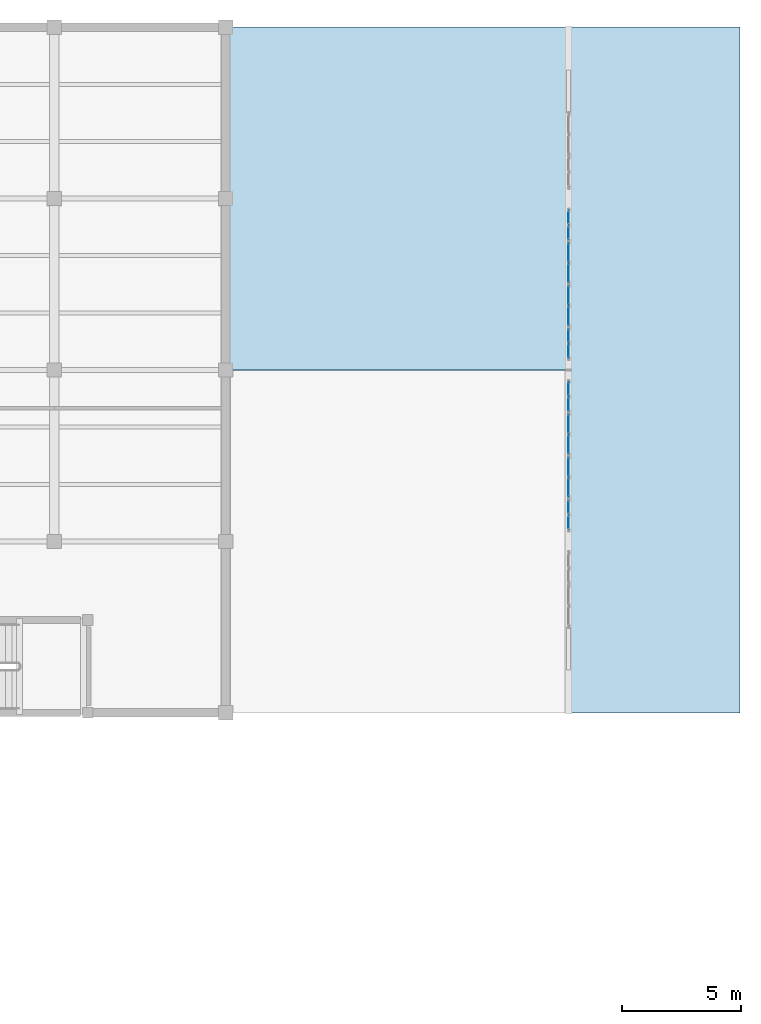
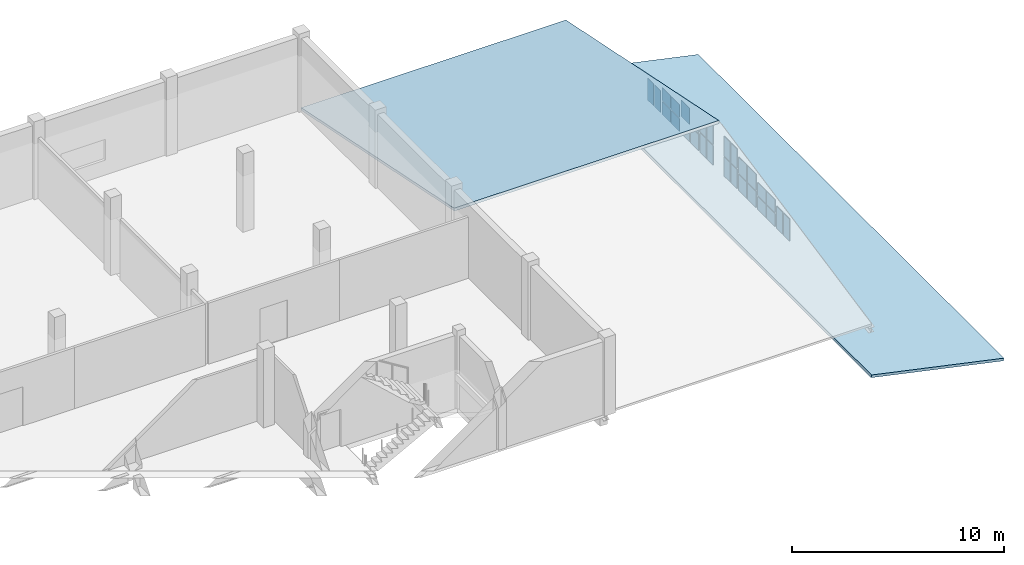
# One storey, part 61 of 76: 28 plates, 2 slabs, 9 elements without a shape of their own.
"""IFC4 building model written with IfcOpenShell, lengths in metres."""

from ifc_helpers import new_model, si_unit, direction, frame, origin, origin_2d, place, context, subcontext, project, spatial, polyline, rectangle, outline, extrude, material, layer, layer_set, type_object, element, aggregate, save


model = new_model("IFC4")

# Units and contexts
model_context = context("Model", 3, precision=1e-05, world=origin(), true_north=direction((0.0, 1.0)))
body_context = subcontext(model_context, "Body", "Model", "MODEL_VIEW")
ifc_project = project(units=[si_unit("LENGTHUNIT", "METRE"), si_unit("AREAUNIT", "SQUARE_METRE"), si_unit("VOLUMEUNIT", "CUBIC_METRE"), si_unit("PLANEANGLEUNIT", "RADIAN"), si_unit("MASSUNIT", "GRAM", prefix="KILO"), si_unit("THERMODYNAMICTEMPERATUREUNIT", "KELVIN"), si_unit("POWERUNIT", "WATT")], contexts=[model_context])

# Site, building, storey
site_placement = place(None, origin())
site = spatial("IfcSite", under=ifc_project, at=site_placement, CompositionType="ELEMENT")
building_placement = place(site_placement, origin())
building = spatial("IfcBuilding", under=site, at=building_placement, Name="Kaldorven Railside Theatre", CompositionType="ELEMENT")
storey_placement = place(building_placement, frame((0.0, 0.0, 14.39990234375)))
storey = spatial("IfcBuildingStorey", under=building, at=storey_placement, Name="L03", CompositionType="ELEMENT", Elevation=14.39990234375)

# Curtain wall, plates
ifc_material_1 = material(Name="Low-E laminated solar-control glass", Category="glass")
ifc_layer_1 = layer(ifc_material_1, 0.159912109375, Name="Low-E laminated solar-control glass")
ifc_layer_set_1 = layer_set([ifc_layer_1], Name="Low-E laminated solar-control glass")
curtain_wall_type_1 = type_object("IfcCurtainWallType", Name="CWT-73", PredefinedType="USERDEFINED", material=ifc_layer_set_1)
curtain_wall_1_placement = place(storey_placement, origin())
curtain_wall_1 = element("IfcCurtainWall", 1, at=curtain_wall_1_placement, inside=storey, type_object=curtain_wall_type_1, Name="Rehearsal East Gable Clerestory CWG-160", ObjectType="FLUTED GLAZING", PredefinedType="USERDEFINED")
ifc_layer_2 = layer(ifc_material_1, 0.028076171875, Name="Low-E laminated solar-control glass")
ifc_layer_set_2 = layer_set([ifc_layer_2], Name="Low-E laminated solar-control glass")
plate_type = type_object("IfcPlateType", Name="CWP-GLZ28", PredefinedType="CURTAIN_PANEL", material=ifc_layer_set_2)
plate_1_placement = place(storey_placement, frame((180.800048828125, 120.800048828125, 0.080078125), z_axis=(0.0, 0.0, 1.0), x_axis=(0.0, 1.0, 0.0)))
plate_1 = element("IfcPlate", 2, at=plate_1_placement, type_object=plate_type, Name="CWG-160 panel 1.1", PredefinedType="CURTAIN_PANEL", context=body_context, shape_type="SweptSolid", body=[
    extrude(rectangle(XDim=0.56005859375, YDim=0.028076171875, at=origin_2d()), origin(), (0.0, 0.0, 1.0), 1.27001953125),
])
plate_2_placement = place(storey_placement, frame((180.800048828125, 121.43994140625, 0.080078125), z_axis=(0.0, 0.0, 1.0), x_axis=(0.0, 1.0, 0.0)))
plate_2 = element("IfcPlate", 3, at=plate_2_placement, type_object=plate_type, Name="CWG-160 panel 2.1", PredefinedType="CURTAIN_PANEL", context=body_context, shape_type="SweptSolid", body=[
    extrude(rectangle(XDim=0.56005859375, YDim=0.028076171875, at=origin_2d()), origin(), (0.0, 0.0, 1.0), 1.27001953125),
])
aggregate(curtain_wall_1, [plate_1, plate_2])

ifc_layer_3 = layer(ifc_material_1, 0.159912109375, Name="Low-E laminated solar-control glass")
ifc_layer_set_3 = layer_set([ifc_layer_3], Name="Low-E laminated solar-control glass")
curtain_wall_type_2 = type_object("IfcCurtainWallType", Name="CWT-74", PredefinedType="USERDEFINED", material=ifc_layer_set_3)
curtain_wall_2_placement = place(storey_placement, origin())
curtain_wall_2 = element("IfcCurtainWall", 4, at=curtain_wall_2_placement, inside=storey, type_object=curtain_wall_type_2, Name="Rehearsal East Gable Clerestory CWG-161", ObjectType="FLUTED GLAZING", PredefinedType="USERDEFINED")
plate_3_placement = place(storey_placement, frame((180.800048828125, 122.27001953125, 0.080078125), z_axis=(0.0, 0.0, 1.0), x_axis=(0.0, 1.0, 0.0)))
plate_3 = element("IfcPlate", 5, at=plate_3_placement, type_object=plate_type, Name="CWG-161 panel 1.1", PredefinedType="CURTAIN_PANEL", context=body_context, shape_type="SweptSolid", body=[
    extrude(rectangle(XDim=0.780029296875, YDim=0.028076171875, at=origin_2d()), origin(), (0.0, 0.0, 1.0), 0.7451171875),
])
plate_4_placement = place(storey_placement, frame((180.800048828125, 122.27001953125, 0.885009765625), z_axis=(0.0, 0.0, 1.0), x_axis=(0.0, 1.0, 0.0)))
plate_4 = element("IfcPlate", 6, at=plate_4_placement, type_object=plate_type, Name="CWG-161 panel 1.2", PredefinedType="CURTAIN_PANEL", context=body_context, shape_type="SweptSolid", body=[
    extrude(rectangle(XDim=0.780029296875, YDim=0.028076171875, at=origin_2d()), origin(), (0.0, 0.0, 1.0), 0.7451171875),
])
plate_5_placement = place(storey_placement, frame((180.800048828125, 123.1298828125, 0.080078125), z_axis=(0.0, 0.0, 1.0), x_axis=(0.0, 1.0, 0.0)))
plate_5 = element("IfcPlate", 7, at=plate_5_placement, type_object=plate_type, Name="CWG-161 panel 2.1", PredefinedType="CURTAIN_PANEL", context=body_context, shape_type="SweptSolid", body=[
    extrude(rectangle(XDim=0.780029296875, YDim=0.028076171875, at=origin_2d()), origin(), (0.0, 0.0, 1.0), 0.7451171875),
])
plate_6_placement = place(storey_placement, frame((180.800048828125, 123.1298828125, 0.885009765625), z_axis=(0.0, 0.0, 1.0), x_axis=(0.0, 1.0, 0.0)))
plate_6 = element("IfcPlate", 8, at=plate_6_placement, type_object=plate_type, Name="CWG-161 panel 2.2", PredefinedType="CURTAIN_PANEL", context=body_context, shape_type="SweptSolid", body=[
    extrude(rectangle(XDim=0.780029296875, YDim=0.028076171875, at=origin_2d()), origin(), (0.0, 0.0, 1.0), 0.7451171875),
])
aggregate(curtain_wall_2, [plate_3, plate_4, plate_5, plate_6])

ifc_layer_4 = layer(ifc_material_1, 0.159912109375, Name="Low-E laminated solar-control glass")
ifc_layer_set_4 = layer_set([ifc_layer_4], Name="Low-E laminated solar-control glass")
curtain_wall_type_3 = type_object("IfcCurtainWallType", Name="CWT-75", PredefinedType="USERDEFINED", material=ifc_layer_set_4)
curtain_wall_3_placement = place(storey_placement, origin())
curtain_wall_3 = element("IfcCurtainWall", 9, at=curtain_wall_3_placement, inside=storey, type_object=curtain_wall_type_3, Name="Rehearsal East Gable Clerestory CWG-162", ObjectType="FLUTED GLAZING", PredefinedType="USERDEFINED")
plate_7_placement = place(storey_placement, frame((180.800048828125, 124.070068359375, 0.080078125), z_axis=(0.0, 0.0, 1.0), x_axis=(0.0, 1.0, 0.0)))
plate_7 = element("IfcPlate", 10, at=plate_7_placement, type_object=plate_type, Name="CWG-162 panel 1.1", PredefinedType="CURTAIN_PANEL", context=body_context, shape_type="SweptSolid", body=[
    extrude(rectangle(XDim=0.780029296875, YDim=0.028076171875, at=origin_2d()), origin(), (0.0, 0.0, 1.0), 0.929931640625),
])
plate_8_placement = place(storey_placement, frame((180.800048828125, 124.070068359375, 1.0703125), z_axis=(0.0, 0.0, 1.0), x_axis=(0.0, 1.0, 0.0)))
plate_8 = element("IfcPlate", 11, at=plate_8_placement, type_object=plate_type, Name="CWG-162 panel 1.2", PredefinedType="CURTAIN_PANEL", context=body_context, shape_type="SweptSolid", body=[
    extrude(rectangle(XDim=0.780029296875, YDim=0.028076171875, at=origin_2d()), origin(), (0.0, 0.0, 1.0), 0.929931640625),
])
plate_9_placement = place(storey_placement, frame((180.800048828125, 124.929931640625, 0.080078125), z_axis=(0.0, 0.0, 1.0), x_axis=(0.0, 1.0, 0.0)))
plate_9 = element("IfcPlate", 12, at=plate_9_placement, type_object=plate_type, Name="CWG-162 panel 2.1", PredefinedType="CURTAIN_PANEL", context=body_context, shape_type="SweptSolid", body=[
    extrude(rectangle(XDim=0.780029296875, YDim=0.028076171875, at=origin_2d()), origin(), (0.0, 0.0, 1.0), 0.929931640625),
])
plate_10_placement = place(storey_placement, frame((180.800048828125, 124.929931640625, 1.0703125), z_axis=(0.0, 0.0, 1.0), x_axis=(0.0, 1.0, 0.0)))
plate_10 = element("IfcPlate", 13, at=plate_10_placement, type_object=plate_type, Name="CWG-162 panel 2.2", PredefinedType="CURTAIN_PANEL", context=body_context, shape_type="SweptSolid", body=[
    extrude(rectangle(XDim=0.780029296875, YDim=0.028076171875, at=origin_2d()), origin(), (0.0, 0.0, 1.0), 0.929931640625),
])
aggregate(curtain_wall_3, [plate_7, plate_8, plate_9, plate_10])

ifc_layer_5 = layer(ifc_material_1, 0.159912109375, Name="Low-E laminated solar-control glass")
ifc_layer_set_5 = layer_set([ifc_layer_5], Name="Low-E laminated solar-control glass")
curtain_wall_type_4 = type_object("IfcCurtainWallType", Name="CWT-76", PredefinedType="USERDEFINED", material=ifc_layer_set_5)
curtain_wall_4_placement = place(storey_placement, origin())
curtain_wall_4 = element("IfcCurtainWall", 14, at=curtain_wall_4_placement, inside=storey, type_object=curtain_wall_type_4, Name="Rehearsal East Gable Clerestory CWG-163", ObjectType="FLUTED GLAZING", PredefinedType="USERDEFINED")
plate_11_placement = place(storey_placement, frame((180.800048828125, 125.760009765625, 0.080078125), z_axis=(0.0, 0.0, 1.0), x_axis=(0.0, 1.0, 0.0)))
plate_11 = element("IfcPlate", 15, at=plate_11_placement, type_object=plate_type, Name="CWG-163 panel 1.1", PredefinedType="CURTAIN_PANEL", context=body_context, shape_type="SweptSolid", body=[
    extrude(rectangle(XDim=0.56005859375, YDim=0.028076171875, at=origin_2d()), origin(), (0.0, 0.0, 1.0), 1.114990234375),
])
plate_12_placement = place(storey_placement, frame((180.800048828125, 125.760009765625, 1.2548828125), z_axis=(0.0, 0.0, 1.0), x_axis=(0.0, 1.0, 0.0)))
plate_12 = element("IfcPlate", 16, at=plate_12_placement, type_object=plate_type, Name="CWG-163 panel 1.2", PredefinedType="CURTAIN_PANEL", context=body_context, shape_type="SweptSolid", body=[
    extrude(rectangle(XDim=0.56005859375, YDim=0.028076171875, at=origin_2d()), origin(), (0.0, 0.0, 1.0), 1.114990234375),
])
plate_13_placement = place(storey_placement, frame((180.800048828125, 126.39990234375, 0.080078125), z_axis=(0.0, 0.0, 1.0), x_axis=(0.0, 1.0, 0.0)))
plate_13 = element("IfcPlate", 17, at=plate_13_placement, type_object=plate_type, Name="CWG-163 panel 2.1", PredefinedType="CURTAIN_PANEL", context=body_context, shape_type="SweptSolid", body=[
    extrude(rectangle(XDim=0.56005859375, YDim=0.028076171875, at=origin_2d()), origin(), (0.0, 0.0, 1.0), 1.114990234375),
])
plate_14_placement = place(storey_placement, frame((180.800048828125, 126.39990234375, 1.2548828125), z_axis=(0.0, 0.0, 1.0), x_axis=(0.0, 1.0, 0.0)))
plate_14 = element("IfcPlate", 18, at=plate_14_placement, type_object=plate_type, Name="CWG-163 panel 2.2", PredefinedType="CURTAIN_PANEL", context=body_context, shape_type="SweptSolid", body=[
    extrude(rectangle(XDim=0.56005859375, YDim=0.028076171875, at=origin_2d()), origin(), (0.0, 0.0, 1.0), 1.114990234375),
])
aggregate(curtain_wall_4, [plate_11, plate_12, plate_13, plate_14])

curtain_wall_5_placement = place(storey_placement, origin())
curtain_wall_5 = element("IfcCurtainWall", 19, at=curtain_wall_5_placement, inside=storey, type_object=curtain_wall_type_4, Name="Rehearsal East Gable Clerestory CWG-164", ObjectType="FLUTED GLAZING", PredefinedType="USERDEFINED")
plate_15_placement = place(storey_placement, frame((180.800048828125, 128.0, 0.080078125), z_axis=(0.0, 0.0, 1.0), x_axis=(0.0, 1.0, 0.0)))
plate_15 = element("IfcPlate", 20, at=plate_15_placement, type_object=plate_type, Name="CWG-164 panel 1.1", PredefinedType="CURTAIN_PANEL", context=body_context, shape_type="SweptSolid", body=[
    extrude(rectangle(XDim=0.56005859375, YDim=0.028076171875, at=origin_2d()), origin(), (0.0, 0.0, 1.0), 1.114990234375),
])
plate_16_placement = place(storey_placement, frame((180.800048828125, 128.0, 1.2548828125), z_axis=(0.0, 0.0, 1.0), x_axis=(0.0, 1.0, 0.0)))
plate_16 = element("IfcPlate", 21, at=plate_16_placement, type_object=plate_type, Name="CWG-164 panel 1.2", PredefinedType="CURTAIN_PANEL", context=body_context, shape_type="SweptSolid", body=[
    extrude(rectangle(XDim=0.56005859375, YDim=0.028076171875, at=origin_2d()), origin(), (0.0, 0.0, 1.0), 1.114990234375),
])
plate_17_placement = place(storey_placement, frame((180.800048828125, 128.639892578125, 0.080078125), z_axis=(0.0, 0.0, 1.0), x_axis=(0.0, 1.0, 0.0)))
plate_17 = element("IfcPlate", 22, at=plate_17_placement, type_object=plate_type, Name="CWG-164 panel 2.1", PredefinedType="CURTAIN_PANEL", context=body_context, shape_type="SweptSolid", body=[
    extrude(rectangle(XDim=0.56005859375, YDim=0.028076171875, at=origin_2d()), origin(), (0.0, 0.0, 1.0), 1.114990234375),
])
plate_18_placement = place(storey_placement, frame((180.800048828125, 128.639892578125, 1.2548828125), z_axis=(0.0, 0.0, 1.0), x_axis=(0.0, 1.0, 0.0)))
plate_18 = element("IfcPlate", 23, at=plate_18_placement, type_object=plate_type, Name="CWG-164 panel 2.2", PredefinedType="CURTAIN_PANEL", context=body_context, shape_type="SweptSolid", body=[
    extrude(rectangle(XDim=0.56005859375, YDim=0.028076171875, at=origin_2d()), origin(), (0.0, 0.0, 1.0), 1.114990234375),
])
aggregate(curtain_wall_5, [plate_15, plate_16, plate_17, plate_18])

curtain_wall_6_placement = place(storey_placement, origin())
curtain_wall_6 = element("IfcCurtainWall", 24, at=curtain_wall_6_placement, inside=storey, type_object=curtain_wall_type_3, Name="Rehearsal East Gable Clerestory CWG-165", ObjectType="FLUTED GLAZING", PredefinedType="USERDEFINED")
plate_19_placement = place(storey_placement, frame((180.800048828125, 129.469970703125, 0.080078125), z_axis=(0.0, 0.0, 1.0), x_axis=(0.0, 1.0, 0.0)))
plate_19 = element("IfcPlate", 25, at=plate_19_placement, type_object=plate_type, Name="CWG-165 panel 1.1", PredefinedType="CURTAIN_PANEL", context=body_context, shape_type="SweptSolid", body=[
    extrude(rectangle(XDim=0.780029296875, YDim=0.028076171875, at=origin_2d()), origin(), (0.0, 0.0, 1.0), 0.929931640625),
])
plate_20_placement = place(storey_placement, frame((180.800048828125, 129.469970703125, 1.0703125), z_axis=(0.0, 0.0, 1.0), x_axis=(0.0, 1.0, 0.0)))
plate_20 = element("IfcPlate", 26, at=plate_20_placement, type_object=plate_type, Name="CWG-165 panel 1.2", PredefinedType="CURTAIN_PANEL", context=body_context, shape_type="SweptSolid", body=[
    extrude(rectangle(XDim=0.780029296875, YDim=0.028076171875, at=origin_2d()), origin(), (0.0, 0.0, 1.0), 0.929931640625),
])
plate_21_placement = place(storey_placement, frame((180.800048828125, 130.330078125, 0.080078125), z_axis=(0.0, 0.0, 1.0), x_axis=(0.0, 1.0, 0.0)))
plate_21 = element("IfcPlate", 27, at=plate_21_placement, type_object=plate_type, Name="CWG-165 panel 2.1", PredefinedType="CURTAIN_PANEL", context=body_context, shape_type="SweptSolid", body=[
    extrude(rectangle(XDim=0.780029296875, YDim=0.028076171875, at=origin_2d()), origin(), (0.0, 0.0, 1.0), 0.929931640625),
])
plate_22_placement = place(storey_placement, frame((180.800048828125, 130.330078125, 1.0703125), z_axis=(0.0, 0.0, 1.0), x_axis=(0.0, 1.0, 0.0)))
plate_22 = element("IfcPlate", 28, at=plate_22_placement, type_object=plate_type, Name="CWG-165 panel 2.2", PredefinedType="CURTAIN_PANEL", context=body_context, shape_type="SweptSolid", body=[
    extrude(rectangle(XDim=0.780029296875, YDim=0.028076171875, at=origin_2d()), origin(), (0.0, 0.0, 1.0), 0.929931640625),
])
aggregate(curtain_wall_6, [plate_19, plate_20, plate_21, plate_22])

curtain_wall_7_placement = place(storey_placement, origin())
curtain_wall_7 = element("IfcCurtainWall", 29, at=curtain_wall_7_placement, inside=storey, type_object=curtain_wall_type_2, Name="Rehearsal East Gable Clerestory CWG-166", ObjectType="FLUTED GLAZING", PredefinedType="USERDEFINED")
plate_23_placement = place(storey_placement, frame((180.800048828125, 131.27001953125, 0.080078125), z_axis=(0.0, 0.0, 1.0), x_axis=(0.0, 1.0, 0.0)))
plate_23 = element("IfcPlate", 30, at=plate_23_placement, type_object=plate_type, Name="CWG-166 panel 1.1", PredefinedType="CURTAIN_PANEL", context=body_context, shape_type="SweptSolid", body=[
    extrude(rectangle(XDim=0.780029296875, YDim=0.028076171875, at=origin_2d()), origin(), (0.0, 0.0, 1.0), 0.7451171875),
])
plate_24_placement = place(storey_placement, frame((180.800048828125, 131.27001953125, 0.885009765625), z_axis=(0.0, 0.0, 1.0), x_axis=(0.0, 1.0, 0.0)))
plate_24 = element("IfcPlate", 31, at=plate_24_placement, type_object=plate_type, Name="CWG-166 panel 1.2", PredefinedType="CURTAIN_PANEL", context=body_context, shape_type="SweptSolid", body=[
    extrude(rectangle(XDim=0.780029296875, YDim=0.028076171875, at=origin_2d()), origin(), (0.0, 0.0, 1.0), 0.7451171875),
])
plate_25_placement = place(storey_placement, frame((180.800048828125, 132.1298828125, 0.080078125), z_axis=(0.0, 0.0, 1.0), x_axis=(0.0, 1.0, 0.0)))
plate_25 = element("IfcPlate", 32, at=plate_25_placement, type_object=plate_type, Name="CWG-166 panel 2.1", PredefinedType="CURTAIN_PANEL", context=body_context, shape_type="SweptSolid", body=[
    extrude(rectangle(XDim=0.780029296875, YDim=0.028076171875, at=origin_2d()), origin(), (0.0, 0.0, 1.0), 0.7451171875),
])
plate_26_placement = place(storey_placement, frame((180.800048828125, 132.1298828125, 0.885009765625), z_axis=(0.0, 0.0, 1.0), x_axis=(0.0, 1.0, 0.0)))
plate_26 = element("IfcPlate", 33, at=plate_26_placement, type_object=plate_type, Name="CWG-166 panel 2.2", PredefinedType="CURTAIN_PANEL", context=body_context, shape_type="SweptSolid", body=[
    extrude(rectangle(XDim=0.780029296875, YDim=0.028076171875, at=origin_2d()), origin(), (0.0, 0.0, 1.0), 0.7451171875),
])
aggregate(curtain_wall_7, [plate_23, plate_24, plate_25, plate_26])

curtain_wall_8_placement = place(storey_placement, origin())
curtain_wall_8 = element("IfcCurtainWall", 34, at=curtain_wall_8_placement, inside=storey, type_object=curtain_wall_type_1, Name="Rehearsal East Gable Clerestory CWG-167", ObjectType="FLUTED GLAZING", PredefinedType="USERDEFINED")
plate_27_placement = place(storey_placement, frame((180.800048828125, 132.9599609375, 0.080078125), z_axis=(0.0, 0.0, 1.0), x_axis=(0.0, 1.0, 0.0)))
plate_27 = element("IfcPlate", 35, at=plate_27_placement, type_object=plate_type, Name="CWG-167 panel 1.1", PredefinedType="CURTAIN_PANEL", context=body_context, shape_type="SweptSolid", body=[
    extrude(rectangle(XDim=0.56005859375, YDim=0.028076171875, at=origin_2d()), origin(), (0.0, 0.0, 1.0), 1.27001953125),
])
plate_28_placement = place(storey_placement, frame((180.800048828125, 133.60009765625, 0.080078125), z_axis=(0.0, 0.0, 1.0), x_axis=(0.0, 1.0, 0.0)))
plate_28 = element("IfcPlate", 36, at=plate_28_placement, type_object=plate_type, Name="CWG-167 panel 2.1", PredefinedType="CURTAIN_PANEL", context=body_context, shape_type="SweptSolid", body=[
    extrude(rectangle(XDim=0.56005859375, YDim=0.028076171875, at=origin_2d()), origin(), (0.0, 0.0, 1.0), 1.27001953125),
])
aggregate(curtain_wall_8, [plate_27, plate_28])

# Roof, slabs
ifc_material_2 = material(Name="Concrete C35/45", Category="concrete")
roof_type = type_object("IfcRoofType", Name="RF-SHED-BOH1", PredefinedType="SHED_ROOF", material=ifc_material_2)
roof_placement = place(storey_placement, origin())
roof = element("IfcRoof", 37, at=roof_placement, inside=storey, type_object=roof_type, Name="Scenery Workshop Stepped Monsoon Roof", PredefinedType="SHED_ROOF")
ifc_layer_6 = layer(ifc_material_2, 0.14990234375, Name="Concrete C35/45")
ifc_layer_set_6 = layer_set([ifc_layer_6], Name="Concrete C35/45")
slab_type = type_object("IfcSlabType", Name="SLB-RSL-150", PredefinedType="ROOF", material=ifc_layer_set_6)
placement = place(building_placement, frame((0.0, 0.0, 9.89990234375)))
slab_1_placement = place(placement, frame((180.800048828125, 112.800048828125, 1.550048828125), z_axis=(0.21046396071, 0.0, 0.977601616837), x_axis=(0.977601616837, 0.0, -0.21046396071)))
slab_1 = element("IfcSlab", 38, at=slab_1_placement, type_object=slab_type, Name="Backstage Monsoon Roof V6-RF-L02", PredefinedType="ROOF", context=body_context, shape_type="SweptSolid", body=[
    extrude(outline(polyline([(0.0, 0.0), (7.364913322433325, 0.0), (7.364913322433325, 28.800048828125), (0.0, 28.800048828125), (0.0, 0.0)])), origin(), (0.0, 0.0, -1.0), 0.14990234375),
])
slab_2_placement = place(storey_placement, frame((166.39990234375, 127.199951171875, 2.9501953125), z_axis=(0.0, 0.200703835544, 0.979651963913), x_axis=(1.0, 0.0, 0.0)))
slab_2 = element("IfcSlab", 39, at=slab_2_placement, type_object=slab_type, Name="Backstage Monsoon Roof V6-RF-L03-N", PredefinedType="ROOF", context=body_context, shape_type="SweptSolid", body=[
    extrude(outline(polyline([(0.0, 0.0), (14.400146484375, 0.0), (14.400146484375, 14.6992472988706), (0.0, 14.6992472988706), (0.0, 0.0)])), origin(), (0.0, 0.0, -1.0), 0.14990234375),
])
aggregate(roof, [slab_1, slab_2])

save(model, "model.ifc")
